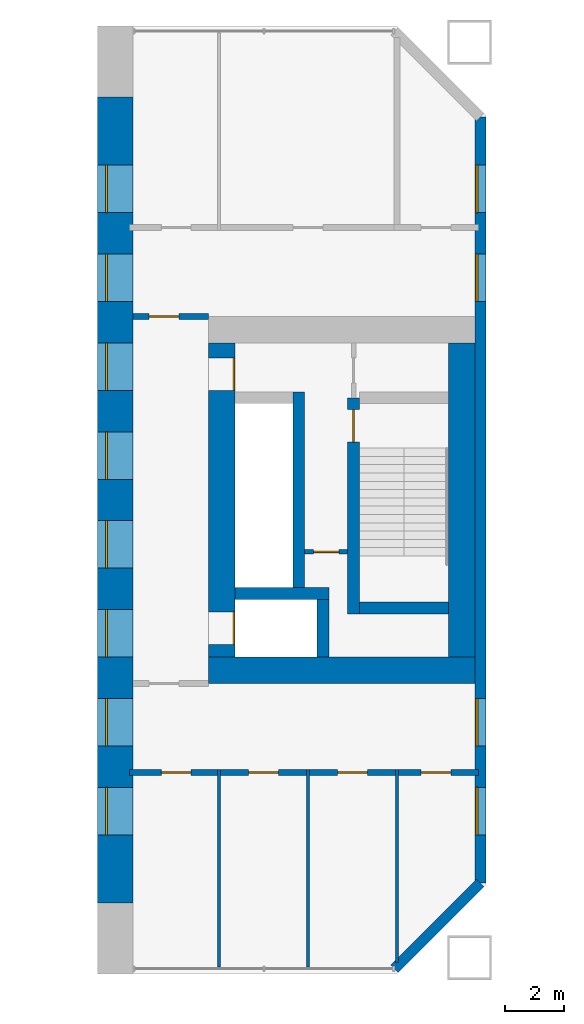
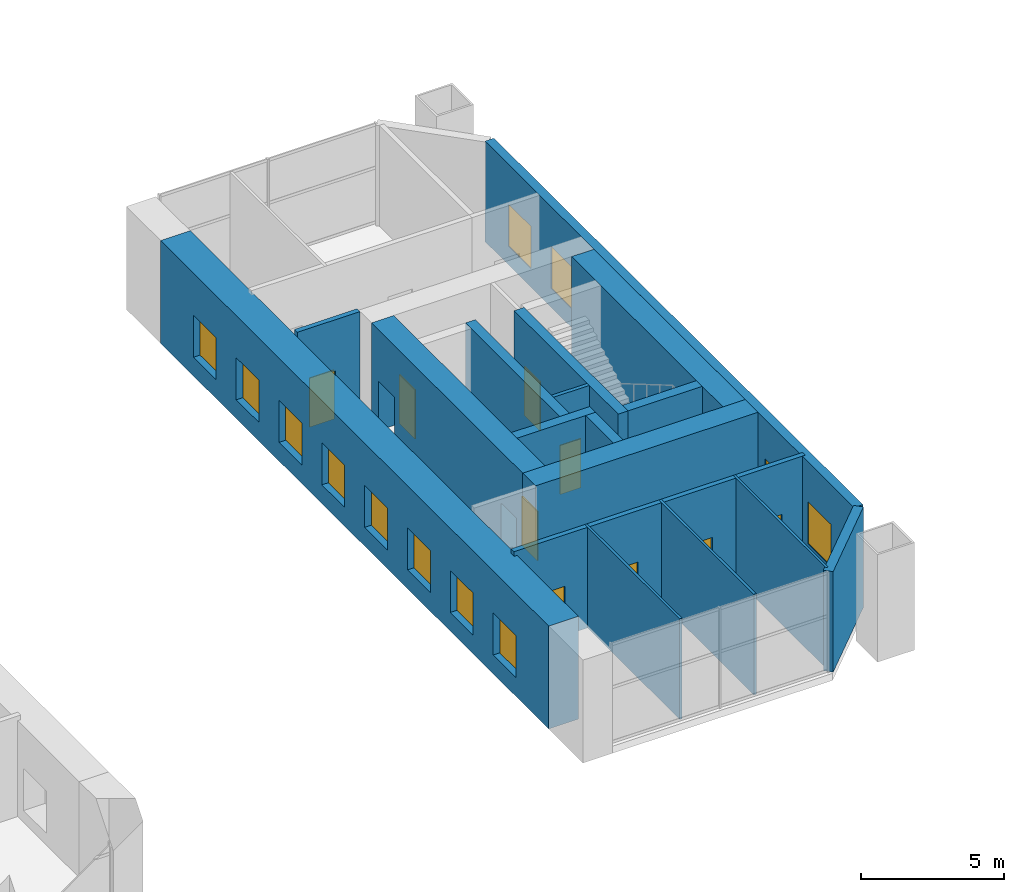
# One storey, part 11 of 19: 17 walls, 12 windows, 9 doors, 21 openings.
"""IFC4 building model written with IfcOpenShell, lengths in metres."""

from ifc_helpers import new_model, si_unit, direction, frame, frame_2d, origin, place, context, subcontext, project, spatial, rectangle, extrude, material, layer, layer_set, type_object, element, fill, save


model = new_model("IFC4")

# Units and contexts
model_context = context("Model", 3, precision=1e-05, world=origin(), true_north=direction((0.0, 1.0)))
body_context = subcontext(model_context, "Body", "Model", "MODEL_VIEW")
ifc_project = project(units=[si_unit("LENGTHUNIT", "METRE"), si_unit("AREAUNIT", "SQUARE_METRE"), si_unit("VOLUMEUNIT", "CUBIC_METRE"), si_unit("PLANEANGLEUNIT", "RADIAN"), si_unit("MASSUNIT", "GRAM", prefix="KILO")], contexts=[model_context])

# Site, building, storey
site_placement = place(None, origin())
site = spatial("IfcSite", under=ifc_project, at=site_placement, CompositionType="ELEMENT")
building_placement = place(site_placement, origin())
building = spatial("IfcBuilding", under=site, at=building_placement, Name="Tuart Gate Housing", CompositionType="ELEMENT")
storey_placement = place(building_placement, frame((0.0, 0.0, 10.10009765625)))
storey = spatial("IfcBuildingStorey", under=building, at=storey_placement, Name="L02", CompositionType="ELEMENT", Elevation=10.10009765625)

# Wall
ifc_material_1 = material(Name="Brick", Category="masonry")
ifc_layer_1 = layer(ifc_material_1, 0.360107421875)
ifc_layer_set_1 = layer_set([ifc_layer_1], Name="Brick pier and spandrel wall 360")
wall_type_1 = type_object("IfcWallType", Name="Brick pier and spandrel wall 360", PredefinedType="STANDARD", material=ifc_layer_set_1)
wall_1_placement = place(storey_placement, frame((72.92529296875, 54.179931640625, 0.0), z_axis=(0.0, 0.0, 1.0), x_axis=(0.707106781187, 0.707106781187, 0.0)))
element("IfcWall", 1, at=wall_1_placement, inside=storey, type_object=wall_type_1, Name="External wall A-SE L02", PredefinedType="STANDARD", context=body_context, shape_type="SweptSolid", body=[
    extrude(rectangle(XDim=4.09375, YDim=0.360107421875, at=frame_2d((2.046875, 0.0))), origin(), (0.0, 0.0, 1.0), 4.2998046875),
])

# Wall, openings, windows
wall_2_placement = place(storey_placement, frame((75.820068359375, 57.07470703125, 0.0), z_axis=(0.0, 0.0, 1.0), x_axis=(0.0, 1.0, 0.0)))
wall_2 = element("IfcWall", 2, at=wall_2_placement, inside=storey, type_object=wall_type_1, Name="External wall A-E L02", PredefinedType="STANDARD", context=body_context, shape_type="SweptSolid", body=[
    extrude(rectangle(XDim=25.850830078125, YDim=0.360107421875, at=frame_2d((12.92529296875, 0.0))), origin(), (0.0, 0.0, 1.0), 4.2998046875),
])
opening_1_placement = place(wall_2_placement, frame((1.62548828125, 0.0, 0.800048828125)))
opening_1 = element("IfcOpeningElement", 3, at=opening_1_placement, cuts=wall_2, Name="Opening W1", PredefinedType="OPENING", context=body_context, shape_type="SweptSolid", body=[
    extrude(rectangle(XDim=1.60009765625, YDim=1.800048828125, at=frame_2d((0.800048828125, 0.89990234375))), frame((0.0, 0.18994140625, 0.0), z_axis=(0.0, -1.0, 0.0), x_axis=(1.0, 0.0, 0.0)), (0.0, 0.0, 1.0), 0.380126953125),
])
opening_2_placement = place(wall_2_placement, frame((4.62548828125, 0.0, 0.800048828125)))
opening_2 = element("IfcOpeningElement", 4, at=opening_2_placement, cuts=wall_2, Name="Opening W1", PredefinedType="OPENING", context=body_context, shape_type="SweptSolid", body=[
    extrude(rectangle(XDim=1.60009765625, YDim=1.800048828125, at=frame_2d((0.800048828125, 0.89990234375))), frame((0.0, 0.18994140625, 0.0), z_axis=(0.0, -1.0, 0.0), x_axis=(1.0, 0.0, 0.0)), (0.0, 0.0, 1.0), 0.380126953125),
])
opening_3_placement = place(wall_2_placement, frame((19.62548828125, 0.0, 0.800048828125)))
opening_3 = element("IfcOpeningElement", 5, at=opening_3_placement, cuts=wall_2, Name="Opening W1", PredefinedType="OPENING", context=body_context, shape_type="SweptSolid", body=[
    extrude(rectangle(XDim=1.60009765625, YDim=1.800048828125, at=frame_2d((0.800048828125, 0.89990234375))), frame((0.0, 0.18994140625, 0.0), z_axis=(0.0, -1.0, 0.0), x_axis=(1.0, 0.0, 0.0)), (0.0, 0.0, 1.0), 0.380126953125),
])
opening_4_placement = place(wall_2_placement, frame((22.62548828125, 0.0, 0.800048828125)))
opening_4 = element("IfcOpeningElement", 6, at=opening_4_placement, cuts=wall_2, Name="Opening W1", PredefinedType="OPENING", context=body_context, shape_type="SweptSolid", body=[
    extrude(rectangle(XDim=1.60009765625, YDim=1.800048828125, at=frame_2d((0.800048828125, 0.89990234375))), frame((0.0, 0.18994140625, 0.0), z_axis=(0.0, -1.0, 0.0), x_axis=(1.0, 0.0, 0.0)), (0.0, 0.0, 1.0), 0.380126953125),
])
ifc_material_2 = material(Name="Aluminium frame with clear glass", Category="aluminium")
window_type = type_object("IfcWindowType", Name="Punched window 1600 x 1800", PartitioningType="SINGLE_PANEL", PredefinedType="WINDOW", material=ifc_material_2)
window_1_placement = place(opening_1_placement, origin())
window_1 = element("IfcWindow", 7, at=window_1_placement, inside=storey, type_object=window_type, Name="Window W1", OverallHeight=1.800048828125, OverallWidth=1.60009765625, PartitioningType="SINGLE_PANEL", PredefinedType="WINDOW", context=body_context, shape_type="SweptSolid", body=[
    extrude(rectangle(XDim=1.60009765625, YDim=1.800048828125, at=frame_2d((0.800048828125, 0.89990234375))), frame((0.0, 0.150146484375, 0.0), z_axis=(0.0, -1.0, 0.0), x_axis=(1.0, 0.0, 0.0)), (0.0, 0.0, 1.0), 0.06005859375),
])
fill(opening_1, window_1)
window_2_placement = place(opening_2_placement, origin())
window_2 = element("IfcWindow", 8, at=window_2_placement, inside=storey, type_object=window_type, Name="Window W1", OverallHeight=1.800048828125, OverallWidth=1.60009765625, PartitioningType="SINGLE_PANEL", PredefinedType="WINDOW", context=body_context, shape_type="SweptSolid", body=[
    extrude(rectangle(XDim=1.60009765625, YDim=1.800048828125, at=frame_2d((0.800048828125, 0.89990234375))), frame((0.0, 0.150146484375, 0.0), z_axis=(0.0, -1.0, 0.0), x_axis=(1.0, 0.0, 0.0)), (0.0, 0.0, 1.0), 0.06005859375),
])
fill(opening_2, window_2)
window_3_placement = place(opening_3_placement, origin())
window_3 = element("IfcWindow", 9, at=window_3_placement, inside=storey, type_object=window_type, Name="Window W1", OverallHeight=1.800048828125, OverallWidth=1.60009765625, PartitioningType="SINGLE_PANEL", PredefinedType="WINDOW", context=body_context, shape_type="SweptSolid", body=[
    extrude(rectangle(XDim=1.60009765625, YDim=1.800048828125, at=frame_2d((0.800048828125, 0.89990234375))), frame((0.0, 0.150146484375, 0.0), z_axis=(0.0, -1.0, 0.0), x_axis=(1.0, 0.0, 0.0)), (0.0, 0.0, 1.0), 0.06005859375),
])
fill(opening_3, window_3)
window_4_placement = place(opening_4_placement, origin())
window_4 = element("IfcWindow", 10, at=window_4_placement, inside=storey, type_object=window_type, Name="Window W1", OverallHeight=1.800048828125, OverallWidth=1.60009765625, PartitioningType="SINGLE_PANEL", PredefinedType="WINDOW", context=body_context, shape_type="SweptSolid", body=[
    extrude(rectangle(XDim=1.60009765625, YDim=1.800048828125, at=frame_2d((0.800048828125, 0.89990234375))), frame((0.0, 0.150146484375, 0.0), z_axis=(0.0, -1.0, 0.0), x_axis=(1.0, 0.0, 0.0)), (0.0, 0.0, 1.0), 0.06005859375),
])
fill(opening_4, window_4)

# Wall, opening, door
ifc_material_3 = material(Name="Plasterboard partition")
ifc_layer_2 = layer(ifc_material_3, 0.14990234375)
ifc_layer_set_2 = layer_set([ifc_layer_2], Name="Core partition 150")
wall_type_2 = type_object("IfcWallType", Name="Core partition 150", PredefinedType="PARTITIONING", material=ifc_layer_set_2)
wall_3_placement = place(storey_placement, frame((69.889892578125, 68.25, 0.0), z_axis=(0.0, 0.0, 1.0), x_axis=(1.0, 0.0, 0.0)))
wall_3 = element("IfcWall", 11, at=wall_3_placement, inside=storey, type_object=wall_type_2, Name="Core partition AG.3", PredefinedType="PARTITIONING", context=body_context, shape_type="SweptSolid", body=[
    extrude(rectangle(XDim=1.4501953125, YDim=0.14990234375, at=frame_2d((0.72509765625, 0.0))), origin(), (0.0, 0.0, 1.0), 4.2998046875),
])
opening_5_placement = place(wall_3_placement, frame((0.300048828125, 0.0, 0.0)))
opening_5 = element("IfcOpeningElement", 12, at=opening_5_placement, cuts=wall_3, Name="Opening D3191", PredefinedType="OPENING", context=body_context, shape_type="SweptSolid", body=[
    extrude(rectangle(XDim=0.85009765625, YDim=2.10009765625, at=frame_2d((0.425048828125, 1.050048828125))), frame((0.0, 0.0849609375, 0.0), z_axis=(0.0, -1.0, 0.0), x_axis=(1.0, 0.0, 0.0)), (0.0, 0.0, 1.0), 0.169921875),
])
ifc_material_4 = material(Name="Steel fire door", Category="steel")
door_type_1 = type_object("IfcDoorType", Name="Riser door 850 x 2100 RH", OperationType="SINGLE_SWING_RIGHT", PredefinedType="DOOR", material=ifc_material_4)
door_1_placement = place(opening_5_placement, frame((0.85009765625, 0.0, 0.0), z_axis=(0.0, 0.0, 1.0), x_axis=(-1.0, 0.0, 0.0)))
door_1 = element("IfcDoor", 13, at=door_1_placement, inside=storey, type_object=door_type_1, Name="Service room door AG.E1", OperationType="SINGLE_SWING_RIGHT", OverallHeight=2.10009765625, OverallWidth=0.85009765625, PredefinedType="DOOR", context=body_context, shape_type="SweptSolid", body=[
    extrude(rectangle(XDim=0.85009765625, YDim=2.10009765625, at=frame_2d((0.425048828125, 1.050048828125))), frame((0.0, 0.025146484375, 0.0), z_axis=(0.0, -1.0, 0.0), x_axis=(1.0, 0.0, 0.0)), (0.0, 0.0, 1.0), 0.050048828125),
])
fill(opening_5, door_1)

# Walls
ifc_material_5 = material(Name="Concrete C60", Category="concrete")
ifc_layer_3 = layer(ifc_material_5, 0.39990234375)
ifc_layer_set_3 = layer_set([ifc_layer_3], Name="Core wall 400 C60")
wall_type_3 = type_object("IfcWallType", Name="Core wall 400 C60", PredefinedType="SHEAR", material=ifc_layer_set_3)
wall_4_placement = place(storey_placement, frame((71.739990234375, 66.35009765625, 0.0), z_axis=(0.0, 0.0, 1.0), x_axis=(1.0, 0.0, 0.0)))
element("IfcWall", 14, at=wall_4_placement, inside=storey, type_object=wall_type_3, Name="Core wall AG.1", PredefinedType="SHEAR", context=body_context, shape_type="SweptSolid", body=[
    extrude(rectangle(XDim=3.0, YDim=0.39990234375, at=frame_2d((1.5, 0.0))), origin(), (0.0, 0.0, 1.0), 4.2998046875),
])
wall_5_placement = place(storey_placement, frame((67.5400390625, 66.85009765625, 0.0), z_axis=(0.0, 0.0, 1.0), x_axis=(1.0, 0.0, 0.0)))
element("IfcWall", 15, at=wall_5_placement, inside=storey, type_object=wall_type_3, Name="Core wall AG.2", PredefinedType="SHEAR", context=body_context, shape_type="SweptSolid", body=[
    extrude(rectangle(XDim=3.169921875, YDim=0.39990234375, at=frame_2d((1.5849609375, 0.0))), origin(), (0.0, 0.0, 1.0), 4.2998046875),
])
wall_6_placement = place(storey_placement, frame((69.68994140625, 67.050048828125, 0.0), z_axis=(0.0, 0.0, 1.0), x_axis=(0.0, 1.0, 0.0)))
element("IfcWall", 16, at=wall_6_placement, inside=storey, type_object=wall_type_3, Name="Core wall AG.6", PredefinedType="SHEAR", context=body_context, shape_type="SweptSolid", body=[
    extrude(rectangle(XDim=6.599853515625, YDim=0.39990234375, at=frame_2d((3.2998046875, 0.0))), origin(), (0.0, 0.0, 1.0), 4.2998046875),
])
wall_7_placement = place(storey_placement, frame((70.510009765625, 64.699951171875, 0.0), z_axis=(0.0, 0.0, 1.0), x_axis=(0.0, 1.0, 0.0)))
element("IfcWall", 17, at=wall_7_placement, inside=storey, type_object=wall_type_3, Name="Core wall AG.7", PredefinedType="SHEAR", context=body_context, shape_type="SweptSolid", body=[
    extrude(rectangle(XDim=1.949951171875, YDim=0.39990234375, at=frame_2d((0.97509765625, 0.0))), origin(), (0.0, 0.0, 1.0), 4.2998046875),
])

# Wall, opening, door
wall_8_placement = place(storey_placement, frame((71.5400390625, 66.14990234375, 0.0), z_axis=(0.0, 0.0, 1.0), x_axis=(0.0, 1.0, 0.0)))
wall_8 = element("IfcWall", 18, at=wall_8_placement, inside=storey, type_object=wall_type_3, Name="Core wall AG.8", PredefinedType="SHEAR", context=body_context, shape_type="SweptSolid", body=[
    extrude(rectangle(XDim=7.300048828125, YDim=0.39990234375, at=frame_2d((3.64990234375, 0.0))), origin(), (0.0, 0.0, 1.0), 4.2998046875),
])
opening_6_placement = place(wall_8_placement, frame((5.800048828125, 0.0, 0.0)))
opening_6 = element("IfcOpeningElement", 19, at=opening_6_placement, cuts=wall_8, Name="Opening D3190", PredefinedType="OPENING", context=body_context, shape_type="SweptSolid", body=[
    extrude(rectangle(XDim=1.10009765625, YDim=2.10009765625, at=frame_2d((0.550048828125, 1.050048828125))), frame((0.0, 0.2099609375, 0.0), z_axis=(0.0, -1.0, 0.0), x_axis=(1.0, 0.0, 0.0)), (0.0, 0.0, 1.0), 0.419921875),
])
ifc_material_6 = material(Name="Steel fire door", Category="steel")
door_type_2 = type_object("IfcDoorType", Name="Stair door 1100 x 2100", OperationType="SINGLE_SWING_LEFT", PredefinedType="DOOR", material=ifc_material_6)
door_2_placement = place(opening_6_placement, frame((1.10009765625, 0.0, 0.0), z_axis=(0.0, 0.0, 1.0), x_axis=(-1.0, 0.0, 0.0)))
door_2 = element("IfcDoor", 20, at=door_2_placement, inside=storey, type_object=door_type_2, Name="Stair door AG.SD", OperationType="SINGLE_SWING_LEFT", OverallHeight=2.10009765625, OverallWidth=1.10009765625, PredefinedType="DOOR", context=body_context, shape_type="SweptSolid", body=[
    extrude(rectangle(XDim=1.10009765625, YDim=2.10009765625, at=frame_2d((0.550048828125, 1.050048828125))), frame((0.0, 0.025146484375, 0.0), z_axis=(0.0, -1.0, 0.0), x_axis=(1.0, 0.0, 0.0)), (0.0, 0.0, 1.0), 0.050048828125),
])
fill(opening_6, door_2)

# Wall, openings, doors
ifc_material_7 = material(Name="Concrete C60", Category="concrete")
ifc_layer_4 = layer(ifc_material_7, 0.89990234375)
ifc_layer_set_4 = layer_set([ifc_layer_4], Name="Core wall 900 C60")
wall_type_4 = type_object("IfcWallType", Name="Core wall 900 C60", PredefinedType="SHEAR", material=ifc_layer_set_4)
wall_9_placement = place(storey_placement, frame((67.090087890625, 64.699951171875, 0.0), z_axis=(0.0, 0.0, 1.0), x_axis=(0.0, 1.0, 0.0)))
wall_9 = element("IfcWall", 21, at=wall_9_placement, inside=storey, type_object=wall_type_4, Name="Core wall AG front", PredefinedType="SHEAR", context=body_context, shape_type="SweptSolid", body=[
    extrude(rectangle(XDim=10.60009765625, YDim=0.89990234375, at=frame_2d((5.300048828125, 0.0))), origin(), (0.0, 0.0, 1.0), 4.2998046875),
])
opening_7_placement = place(wall_9_placement, frame((0.425048828125, 0.0, 0.0)))
opening_7 = element("IfcOpeningElement", 22, at=opening_7_placement, cuts=wall_9, Name="Opening LD-FA1", PredefinedType="OPENING", context=body_context, shape_type="SweptSolid", body=[
    extrude(rectangle(XDim=1.10009765625, YDim=2.10009765625, at=frame_2d((0.550048828125, 1.050048828125))), frame((0.0, 0.4599609375, 0.0), z_axis=(0.0, -1.0, 0.0), x_axis=(1.0, 0.0, 0.0)), (0.0, 0.0, 1.0), 0.919921875),
])
opening_8_placement = place(wall_9_placement, frame((9.0, 0.0, 0.0)))
opening_8 = element("IfcOpeningElement", 23, at=opening_8_placement, cuts=wall_9, Name="Opening D3189", PredefinedType="OPENING", context=body_context, shape_type="SweptSolid", body=[
    extrude(rectangle(XDim=1.10009765625, YDim=2.10009765625, at=frame_2d((0.550048828125, 1.050048828125))), frame((0.0, 0.4599609375, 0.0), z_axis=(0.0, -1.0, 0.0), x_axis=(1.0, 0.0, 0.0)), (0.0, 0.0, 1.0), 0.919921875),
])
ifc_material_8 = material(Name="Stainless steel", Category="steel")
door_type_3 = type_object("IfcDoorType", Name="Landing door 1100 x 2100", OperationType="DOUBLE_DOOR_SLIDING", PredefinedType="DOOR", material=ifc_material_8)
door_3_placement = place(opening_7_placement, origin())
door_3 = element("IfcDoor", 24, at=door_3_placement, inside=storey, type_object=door_type_3, Name="Lift landing door FA1", OperationType="DOUBLE_DOOR_SLIDING", OverallHeight=2.10009765625, OverallWidth=1.10009765625, PredefinedType="DOOR", context=body_context, shape_type="SweptSolid", body=[
    extrude(rectangle(XDim=1.10009765625, YDim=2.10009765625, at=frame_2d((0.550048828125, 1.050048828125))), frame((0.0, -0.384765625, 0.0), z_axis=(0.0, -1.0, 0.0), x_axis=(1.0, 0.0, 0.0)), (0.0, 0.0, 1.0), 0.050048828125),
])
fill(opening_7, door_3)
ifc_material_9 = material(Name="Steel fire door", Category="steel")
door_type_4 = type_object("IfcDoorType", Name="Lobby door 1100 x 2100 RH", OperationType="SINGLE_SWING_RIGHT", PredefinedType="DOOR", material=ifc_material_9)
door_4_placement = place(opening_8_placement, frame((1.10009765625, 0.0, 0.0), z_axis=(0.0, 0.0, 1.0), x_axis=(-1.0, 0.0, 0.0)))
door_4 = element("IfcDoor", 25, at=door_4_placement, inside=storey, type_object=door_type_4, Name="Lobby entry door AG.EN", OperationType="SINGLE_SWING_RIGHT", OverallHeight=2.10009765625, OverallWidth=1.10009765625, PredefinedType="DOOR", context=body_context, shape_type="SweptSolid", body=[
    extrude(rectangle(XDim=1.10009765625, YDim=2.10009765625, at=frame_2d((0.550048828125, 1.050048828125))), frame((0.0, 0.434814453125, 0.0), z_axis=(0.0, -1.0, 0.0), x_axis=(1.0, 0.0, 0.0)), (0.0, 0.0, 1.0), 0.050048828125),
])
fill(opening_8, door_4)

# Walls
wall_10_placement = place(storey_placement, frame((75.18994140625, 64.699951171875, 0.0), z_axis=(0.0, 0.0, 1.0), x_axis=(0.0, 1.0, 0.0)))
element("IfcWall", 26, at=wall_10_placement, inside=storey, type_object=wall_type_4, Name="Core wall AG back", PredefinedType="SHEAR", context=body_context, shape_type="SweptSolid", body=[
    extrude(rectangle(XDim=10.60009765625, YDim=0.89990234375, at=frame_2d((5.300048828125, 0.0))), origin(), (0.0, 0.0, 1.0), 4.2998046875),
])
wall_11_placement = place(storey_placement, frame((66.639892578125, 64.25, 0.0), z_axis=(0.0, 0.0, 1.0), x_axis=(1.0, 0.0, 0.0)))
element("IfcWall", 27, at=wall_11_placement, inside=storey, type_object=wall_type_4, Name="Core wall AG south", PredefinedType="SHEAR", context=body_context, shape_type="SweptSolid", body=[
    extrude(rectangle(XDim=9.0, YDim=0.89990234375, at=frame_2d((4.5, 0.0))), origin(), (0.0, 0.0, 1.0), 4.2998046875),
])

# Wall, openings, doors
ifc_material_10 = material(Name="Concrete masonry 15 MPa", Category="masonry")
ifc_layer_5 = layer(ifc_material_10, 0.199951171875)
ifc_layer_set_5 = layer_set([ifc_layer_5], Name="Corridor wall masonry 200")
wall_type_5 = type_object("IfcWallType", Name="Corridor wall masonry 200", PredefinedType="PARTITIONING", material=ifc_layer_set_5)
wall_12_placement = place(storey_placement, frame((63.97998046875, 60.800048828125, 0.0), z_axis=(0.0, 0.0, 1.0), x_axis=(1.0, 0.0, 0.0)))
wall_12 = element("IfcWall", 28, at=wall_12_placement, inside=storey, type_object=wall_type_5, Name="Corridor wall masonry 200", PredefinedType="PARTITIONING", context=body_context, shape_type="SweptSolid", body=[
    extrude(rectangle(XDim=11.780029296875, YDim=0.199951171875, at=frame_2d((5.89013671875, 0.0))), origin(), (0.0, 0.0, 1.0), 4.2998046875),
])
opening_9_placement = place(wall_12_placement, frame((1.070068359375, 0.0, 0.0)))
opening_9 = element("IfcOpeningElement", 29, at=opening_9_placement, cuts=wall_12, Name="Opening D3199", PredefinedType="OPENING", context=body_context, shape_type="SweptSolid", body=[
    extrude(rectangle(XDim=1.0, YDim=2.10009765625, at=frame_2d((0.5, 1.050048828125))), frame((0.0, 0.10986328125, 0.0), z_axis=(0.0, -1.0, 0.0), x_axis=(1.0, 0.0, 0.0)), (0.0, 0.0, 1.0), 0.219970703125),
])
opening_10_placement = place(wall_12_placement, frame((4.02001953125, 0.0, 0.0)))
opening_10 = element("IfcOpeningElement", 30, at=opening_10_placement, cuts=wall_12, Name="Opening D3200", PredefinedType="OPENING", context=body_context, shape_type="SweptSolid", body=[
    extrude(rectangle(XDim=1.0, YDim=2.10009765625, at=frame_2d((0.5, 1.050048828125))), frame((0.0, 0.10986328125, 0.0), z_axis=(0.0, -1.0, 0.0), x_axis=(1.0, 0.0, 0.0)), (0.0, 0.0, 1.0), 0.219970703125),
])
opening_11_placement = place(wall_12_placement, frame((7.02001953125, 0.0, 0.0)))
opening_11 = element("IfcOpeningElement", 31, at=opening_11_placement, cuts=wall_12, Name="Opening D3201", PredefinedType="OPENING", context=body_context, shape_type="SweptSolid", body=[
    extrude(rectangle(XDim=1.0, YDim=2.10009765625, at=frame_2d((0.5, 1.050048828125))), frame((0.0, 0.10986328125, 0.0), z_axis=(0.0, -1.0, 0.0), x_axis=(1.0, 0.0, 0.0)), (0.0, 0.0, 1.0), 0.219970703125),
])
opening_12_placement = place(wall_12_placement, frame((9.840087890625, 0.0, 0.0)))
opening_12 = element("IfcOpeningElement", 32, at=opening_12_placement, cuts=wall_12, Name="Opening D3202", PredefinedType="OPENING", context=body_context, shape_type="SweptSolid", body=[
    extrude(rectangle(XDim=1.0, YDim=2.10009765625, at=frame_2d((0.5, 1.050048828125))), frame((0.0, 0.10986328125, 0.0), z_axis=(0.0, -1.0, 0.0), x_axis=(1.0, 0.0, 0.0)), (0.0, 0.0, 1.0), 0.219970703125),
])
ifc_material_11 = material(Name="Timber door leaf in steel frame", Category="steel")
door_type_5 = type_object("IfcDoorType", Name="Fire door 1000 RH", OperationType="SINGLE_SWING_RIGHT", PredefinedType="DOOR", material=ifc_material_11)
door_5_placement = place(opening_9_placement, frame((1.0, 0.0, 0.0), z_axis=(0.0, 0.0, 1.0), x_axis=(-1.0, 0.0, 0.0)))
door_5 = element("IfcDoor", 33, at=door_5_placement, inside=storey, type_object=door_type_5, Name="Fire door 1000", OperationType="SINGLE_SWING_RIGHT", OverallHeight=2.10009765625, OverallWidth=1.0, PredefinedType="DOOR", context=body_context, shape_type="SweptSolid", body=[
    extrude(rectangle(XDim=1.0, YDim=2.10009765625, at=frame_2d((0.5, 1.050048828125))), frame((0.0, 0.025146484375, 0.0), z_axis=(0.0, -1.0, 0.0), x_axis=(1.0, 0.0, 0.0)), (0.0, 0.0, 1.0), 0.050048828125),
])
fill(opening_9, door_5)
door_6_placement = place(opening_10_placement, frame((1.0, 0.0, 0.0), z_axis=(0.0, 0.0, 1.0), x_axis=(-1.0, 0.0, 0.0)))
door_6 = element("IfcDoor", 34, at=door_6_placement, inside=storey, type_object=door_type_5, Name="Fire door 1000", OperationType="SINGLE_SWING_RIGHT", OverallHeight=2.10009765625, OverallWidth=1.0, PredefinedType="DOOR", context=body_context, shape_type="SweptSolid", body=[
    extrude(rectangle(XDim=1.0, YDim=2.10009765625, at=frame_2d((0.5, 1.050048828125))), frame((0.0, 0.025146484375, 0.0), z_axis=(0.0, -1.0, 0.0), x_axis=(1.0, 0.0, 0.0)), (0.0, 0.0, 1.0), 0.050048828125),
])
fill(opening_10, door_6)
door_7_placement = place(opening_11_placement, frame((1.0, 0.0, 0.0), z_axis=(0.0, 0.0, 1.0), x_axis=(-1.0, 0.0, 0.0)))
door_7 = element("IfcDoor", 35, at=door_7_placement, inside=storey, type_object=door_type_5, Name="Fire door 1000", OperationType="SINGLE_SWING_RIGHT", OverallHeight=2.10009765625, OverallWidth=1.0, PredefinedType="DOOR", context=body_context, shape_type="SweptSolid", body=[
    extrude(rectangle(XDim=1.0, YDim=2.10009765625, at=frame_2d((0.5, 1.050048828125))), frame((0.0, 0.025146484375, 0.0), z_axis=(0.0, -1.0, 0.0), x_axis=(1.0, 0.0, 0.0)), (0.0, 0.0, 1.0), 0.050048828125),
])
fill(opening_11, door_7)
door_8_placement = place(opening_12_placement, frame((1.0, 0.0, 0.0), z_axis=(0.0, 0.0, 1.0), x_axis=(-1.0, 0.0, 0.0)))
door_8 = element("IfcDoor", 36, at=door_8_placement, inside=storey, type_object=door_type_5, Name="Fire door 1000", OperationType="SINGLE_SWING_RIGHT", OverallHeight=2.10009765625, OverallWidth=1.0, PredefinedType="DOOR", context=body_context, shape_type="SweptSolid", body=[
    extrude(rectangle(XDim=1.0, YDim=2.10009765625, at=frame_2d((0.5, 1.050048828125))), frame((0.0, 0.025146484375, 0.0), z_axis=(0.0, -1.0, 0.0), x_axis=(1.0, 0.0, 0.0)), (0.0, 0.0, 1.0), 0.050048828125),
])
fill(opening_12, door_8)

# Wall, opening, door
ifc_material_12 = material(Name="Concrete masonry 15 MPa", Category="masonry")
ifc_layer_6 = layer(ifc_material_12, 0.199951171875)
ifc_layer_set_6 = layer_set([ifc_layer_6], Name="Enclosure wall masonry 200")
wall_type_6 = type_object("IfcWallType", Name="Enclosure wall masonry 200", PredefinedType="PARTITIONING", material=ifc_layer_set_6)
wall_13_placement = place(storey_placement, frame((64.10009765625, 76.199951171875, 0.0), z_axis=(0.0, 0.0, 1.0), x_axis=(1.0, 0.0, 0.0)))
wall_13 = element("IfcWall", 37, at=wall_13_placement, inside=storey, type_object=wall_type_6, Name="Enclosure wall masonry 200", PredefinedType="PARTITIONING", context=body_context, shape_type="SweptSolid", body=[
    extrude(rectangle(XDim=2.539794921875, YDim=0.199951171875, at=frame_2d((1.27001953125, 0.0))), origin(), (0.0, 0.0, 1.0), 4.2998046875),
])
opening_13_placement = place(wall_13_placement, frame((0.5400390625, 0.0, 0.0)))
opening_13 = element("IfcOpeningElement", 38, at=opening_13_placement, cuts=wall_13, Name="Opening D3185", PredefinedType="OPENING", context=body_context, shape_type="SweptSolid", body=[
    extrude(rectangle(XDim=1.0, YDim=2.10009765625, at=frame_2d((0.5, 1.050048828125))), frame((0.0, 0.10986328125, 0.0), z_axis=(0.0, -1.0, 0.0), x_axis=(1.0, 0.0, 0.0)), (0.0, 0.0, 1.0), 0.219970703125),
])
ifc_material_13 = material(Name="Timber door leaf in steel frame", Category="steel")
door_type_6 = type_object("IfcDoorType", Name="Lobby door 1000", OperationType="SINGLE_SWING_LEFT", PredefinedType="DOOR", material=ifc_material_13)
door_9_placement = place(opening_13_placement, origin())
door_9 = element("IfcDoor", 39, at=door_9_placement, inside=storey, type_object=door_type_6, Name="Lobby door 1000", OperationType="SINGLE_SWING_LEFT", OverallHeight=2.10009765625, OverallWidth=1.0, PredefinedType="DOOR", context=body_context, shape_type="SweptSolid", body=[
    extrude(rectangle(XDim=1.0, YDim=2.10009765625, at=frame_2d((0.5, 1.050048828125))), frame((0.0, 0.02490234375, 0.0), z_axis=(0.0, -1.0, 0.0), x_axis=(1.0, 0.0, 0.0)), (0.0, 0.0, 1.0), 0.050048828125),
])
fill(opening_13, door_9)

# Walls
ifc_material_14 = material(Name="Gypsum board on steel studs", Category="steel")
ifc_layer_7 = layer(ifc_material_14, 0.10009765625)
ifc_layer_set_7 = layer_set([ifc_layer_7], Name="Partition 100")
wall_type_7 = type_object("IfcWallType", Name="Partition 100", PredefinedType="PARTITIONING", material=ifc_layer_set_7)
for number, where, z_axis, x_axis, name in (
    (40, (67.0, 54.239990234375, 0.0), (0.0, 0.0, 1.0), (0.0, 1.0, 0.0), "Partition 100"),
    (41, (70.0, 54.239990234375, 0.0), (0.0, 0.0, 1.0), (0.0, 1.0, 0.0), "Partition 100"),
):
    element("IfcWall", number, at=place(storey_placement, frame(where, z_axis=z_axis, x_axis=x_axis)), inside=storey, type_object=wall_type_7, Name=name, PredefinedType="PARTITIONING", context=body_context, shape_type="SweptSolid", body=[
        extrude(rectangle(XDim=6.659912109375, YDim=0.10009765625, at=frame_2d((3.330078125, 0.0))), origin(), (0.0, 0.0, 1.0), 4.2998046875),
    ])
wall_14_placement = place(storey_placement, frame((73.0, 54.388916015625, 0.0), z_axis=(0.0, 0.0, 1.0), x_axis=(0.0, 1.0, 0.0)))
element("IfcWall", 42, at=wall_14_placement, inside=storey, type_object=wall_type_7, Name="Partition 100", PredefinedType="PARTITIONING", context=body_context, shape_type="SweptSolid", body=[
    extrude(rectangle(XDim=6.510986328125, YDim=0.10009765625, at=frame_2d((3.25537109375, 0.0))), origin(), (0.0, 0.0, 1.0), 4.2998046875),
])

# Wall, openings, windows
ifc_material_15 = material(Name="Concrete C60", Category="concrete")
ifc_layer_8 = layer(ifc_material_15, 1.199951171875)
ifc_layer_set_8 = layer_set([ifc_layer_8], Name="RC wall 1200 C60")
wall_type_8 = type_object("IfcWallType", Name="RC wall 1200 C60", PredefinedType="SHEAR", material=ifc_layer_set_8)
wall_15_placement = place(storey_placement, frame((63.5, 56.39990234375, -0.300048828125), z_axis=(0.0, 0.0, 1.0), x_axis=(0.0, 1.0, 0.0)))
wall_15 = element("IfcWall", 43, at=wall_15_placement, inside=storey, type_object=wall_type_8, Name="Pier wall AE L02", PredefinedType="SHEAR", context=body_context, shape_type="SweptSolid", body=[
    extrude(rectangle(XDim=27.2001953125, YDim=1.199951171875, at=frame_2d((13.60009765625, 0.0))), origin(), (0.0, 0.0, 1.0), 4.39990234375),
])
opening_14_placement = place(wall_15_placement, frame((2.300048828125, 0.0, 0.800048828125)))
opening_14 = element("IfcOpeningElement", 44, at=opening_14_placement, cuts=wall_15, Name="Opening W1", PredefinedType="OPENING", context=body_context, shape_type="SweptSolid", body=[
    extrude(rectangle(XDim=1.60009765625, YDim=1.800048828125, at=frame_2d((0.800048828125, 0.89990234375))), frame((0.0, 0.60986328125, 0.0), z_axis=(0.0, -1.0, 0.0), x_axis=(1.0, 0.0, 0.0)), (0.0, 0.0, 1.0), 1.219970703125),
])
opening_15_placement = place(wall_15_placement, frame((5.300048828125, 0.0, 0.800048828125)))
opening_15 = element("IfcOpeningElement", 45, at=opening_15_placement, cuts=wall_15, Name="Opening W1", PredefinedType="OPENING", context=body_context, shape_type="SweptSolid", body=[
    extrude(rectangle(XDim=1.60009765625, YDim=1.800048828125, at=frame_2d((0.800048828125, 0.89990234375))), frame((0.0, 0.60986328125, 0.0), z_axis=(0.0, -1.0, 0.0), x_axis=(1.0, 0.0, 0.0)), (0.0, 0.0, 1.0), 1.219970703125),
])
opening_16_placement = place(wall_15_placement, frame((8.300048828125, 0.0, 0.800048828125)))
opening_16 = element("IfcOpeningElement", 46, at=opening_16_placement, cuts=wall_15, Name="Opening W1", PredefinedType="OPENING", context=body_context, shape_type="SweptSolid", body=[
    extrude(rectangle(XDim=1.60009765625, YDim=1.800048828125, at=frame_2d((0.800048828125, 0.89990234375))), frame((0.0, 0.60986328125, 0.0), z_axis=(0.0, -1.0, 0.0), x_axis=(1.0, 0.0, 0.0)), (0.0, 0.0, 1.0), 1.219970703125),
])
opening_17_placement = place(wall_15_placement, frame((11.300048828125, 0.0, 0.800048828125)))
opening_17 = element("IfcOpeningElement", 47, at=opening_17_placement, cuts=wall_15, Name="Opening W1", PredefinedType="OPENING", context=body_context, shape_type="SweptSolid", body=[
    extrude(rectangle(XDim=1.60009765625, YDim=1.800048828125, at=frame_2d((0.800048828125, 0.89990234375))), frame((0.0, 0.60986328125, 0.0), z_axis=(0.0, -1.0, 0.0), x_axis=(1.0, 0.0, 0.0)), (0.0, 0.0, 1.0), 1.219970703125),
])
opening_18_placement = place(wall_15_placement, frame((14.300048828125, 0.0, 0.800048828125)))
opening_18 = element("IfcOpeningElement", 48, at=opening_18_placement, cuts=wall_15, Name="Opening W1", PredefinedType="OPENING", context=body_context, shape_type="SweptSolid", body=[
    extrude(rectangle(XDim=1.60009765625, YDim=1.800048828125, at=frame_2d((0.800048828125, 0.89990234375))), frame((0.0, 0.60986328125, 0.0), z_axis=(0.0, -1.0, 0.0), x_axis=(1.0, 0.0, 0.0)), (0.0, 0.0, 1.0), 1.219970703125),
])
opening_19_placement = place(wall_15_placement, frame((17.300048828125, 0.0, 0.800048828125)))
opening_19 = element("IfcOpeningElement", 49, at=opening_19_placement, cuts=wall_15, Name="Opening W1", PredefinedType="OPENING", context=body_context, shape_type="SweptSolid", body=[
    extrude(rectangle(XDim=1.60009765625, YDim=1.800048828125, at=frame_2d((0.800048828125, 0.89990234375))), frame((0.0, 0.60986328125, 0.0), z_axis=(0.0, -1.0, 0.0), x_axis=(1.0, 0.0, 0.0)), (0.0, 0.0, 1.0), 1.219970703125),
])
opening_20_placement = place(wall_15_placement, frame((20.300048828125, 0.0, 0.800048828125)))
opening_20 = element("IfcOpeningElement", 50, at=opening_20_placement, cuts=wall_15, Name="Opening W1", PredefinedType="OPENING", context=body_context, shape_type="SweptSolid", body=[
    extrude(rectangle(XDim=1.60009765625, YDim=1.800048828125, at=frame_2d((0.800048828125, 0.89990234375))), frame((0.0, 0.60986328125, 0.0), z_axis=(0.0, -1.0, 0.0), x_axis=(1.0, 0.0, 0.0)), (0.0, 0.0, 1.0), 1.219970703125),
])
opening_21_placement = place(wall_15_placement, frame((23.300048828125, 0.0, 0.800048828125)))
opening_21 = element("IfcOpeningElement", 51, at=opening_21_placement, cuts=wall_15, Name="Opening W1", PredefinedType="OPENING", context=body_context, shape_type="SweptSolid", body=[
    extrude(rectangle(XDim=1.60009765625, YDim=1.800048828125, at=frame_2d((0.800048828125, 0.89990234375))), frame((0.0, 0.60986328125, 0.0), z_axis=(0.0, -1.0, 0.0), x_axis=(1.0, 0.0, 0.0)), (0.0, 0.0, 1.0), 1.219970703125),
])
window_5_placement = place(opening_14_placement, origin())
window_5 = element("IfcWindow", 52, at=window_5_placement, inside=storey, type_object=window_type, Name="Window W1", OverallHeight=1.800048828125, OverallWidth=1.60009765625, PartitioningType="SINGLE_PANEL", PredefinedType="WINDOW", context=body_context, shape_type="SweptSolid", body=[
    extrude(rectangle(XDim=1.60009765625, YDim=1.800048828125, at=frame_2d((0.800048828125, 0.89990234375))), frame((0.0, 0.330078125, 0.0), z_axis=(0.0, -1.0, 0.0), x_axis=(1.0, 0.0, 0.0)), (0.0, 0.0, 1.0), 0.06005859375),
])
fill(opening_14, window_5)
window_6_placement = place(opening_15_placement, origin())
window_6 = element("IfcWindow", 53, at=window_6_placement, inside=storey, type_object=window_type, Name="Window W1", OverallHeight=1.800048828125, OverallWidth=1.60009765625, PartitioningType="SINGLE_PANEL", PredefinedType="WINDOW", context=body_context, shape_type="SweptSolid", body=[
    extrude(rectangle(XDim=1.60009765625, YDim=1.800048828125, at=frame_2d((0.800048828125, 0.89990234375))), frame((0.0, 0.330078125, 0.0), z_axis=(0.0, -1.0, 0.0), x_axis=(1.0, 0.0, 0.0)), (0.0, 0.0, 1.0), 0.06005859375),
])
fill(opening_15, window_6)
window_7_placement = place(opening_16_placement, origin())
window_7 = element("IfcWindow", 54, at=window_7_placement, inside=storey, type_object=window_type, Name="Window W1", OverallHeight=1.800048828125, OverallWidth=1.60009765625, PartitioningType="SINGLE_PANEL", PredefinedType="WINDOW", context=body_context, shape_type="SweptSolid", body=[
    extrude(rectangle(XDim=1.60009765625, YDim=1.800048828125, at=frame_2d((0.800048828125, 0.89990234375))), frame((0.0, 0.330078125, 0.0), z_axis=(0.0, -1.0, 0.0), x_axis=(1.0, 0.0, 0.0)), (0.0, 0.0, 1.0), 0.06005859375),
])
fill(opening_16, window_7)
window_8_placement = place(opening_17_placement, origin())
window_8 = element("IfcWindow", 55, at=window_8_placement, inside=storey, type_object=window_type, Name="Window W1", OverallHeight=1.800048828125, OverallWidth=1.60009765625, PartitioningType="SINGLE_PANEL", PredefinedType="WINDOW", context=body_context, shape_type="SweptSolid", body=[
    extrude(rectangle(XDim=1.60009765625, YDim=1.800048828125, at=frame_2d((0.800048828125, 0.89990234375))), frame((0.0, 0.330078125, 0.0), z_axis=(0.0, -1.0, 0.0), x_axis=(1.0, 0.0, 0.0)), (0.0, 0.0, 1.0), 0.06005859375),
])
fill(opening_17, window_8)
window_9_placement = place(opening_18_placement, origin())
window_9 = element("IfcWindow", 56, at=window_9_placement, inside=storey, type_object=window_type, Name="Window W1", OverallHeight=1.800048828125, OverallWidth=1.60009765625, PartitioningType="SINGLE_PANEL", PredefinedType="WINDOW", context=body_context, shape_type="SweptSolid", body=[
    extrude(rectangle(XDim=1.60009765625, YDim=1.800048828125, at=frame_2d((0.800048828125, 0.89990234375))), frame((0.0, 0.330078125, 0.0), z_axis=(0.0, -1.0, 0.0), x_axis=(1.0, 0.0, 0.0)), (0.0, 0.0, 1.0), 0.06005859375),
])
fill(opening_18, window_9)
window_10_placement = place(opening_19_placement, origin())
window_10 = element("IfcWindow", 57, at=window_10_placement, inside=storey, type_object=window_type, Name="Window W1", OverallHeight=1.800048828125, OverallWidth=1.60009765625, PartitioningType="SINGLE_PANEL", PredefinedType="WINDOW", context=body_context, shape_type="SweptSolid", body=[
    extrude(rectangle(XDim=1.60009765625, YDim=1.800048828125, at=frame_2d((0.800048828125, 0.89990234375))), frame((0.0, 0.330078125, 0.0), z_axis=(0.0, -1.0, 0.0), x_axis=(1.0, 0.0, 0.0)), (0.0, 0.0, 1.0), 0.06005859375),
])
fill(opening_19, window_10)
window_11_placement = place(opening_20_placement, origin())
window_11 = element("IfcWindow", 58, at=window_11_placement, inside=storey, type_object=window_type, Name="Window W1", OverallHeight=1.800048828125, OverallWidth=1.60009765625, PartitioningType="SINGLE_PANEL", PredefinedType="WINDOW", context=body_context, shape_type="SweptSolid", body=[
    extrude(rectangle(XDim=1.60009765625, YDim=1.800048828125, at=frame_2d((0.800048828125, 0.89990234375))), frame((0.0, 0.330078125, 0.0), z_axis=(0.0, -1.0, 0.0), x_axis=(1.0, 0.0, 0.0)), (0.0, 0.0, 1.0), 0.06005859375),
])
fill(opening_20, window_11)
window_12_placement = place(opening_21_placement, origin())
window_12 = element("IfcWindow", 59, at=window_12_placement, inside=storey, type_object=window_type, Name="Window W1", OverallHeight=1.800048828125, OverallWidth=1.60009765625, PartitioningType="SINGLE_PANEL", PredefinedType="WINDOW", context=body_context, shape_type="SweptSolid", body=[
    extrude(rectangle(XDim=1.60009765625, YDim=1.800048828125, at=frame_2d((0.800048828125, 0.89990234375))), frame((0.0, 0.330078125, 0.0), z_axis=(0.0, -1.0, 0.0), x_axis=(1.0, 0.0, 0.0)), (0.0, 0.0, 1.0), 0.06005859375),
])
fill(opening_21, window_12)

save(model, "model.ifc")
